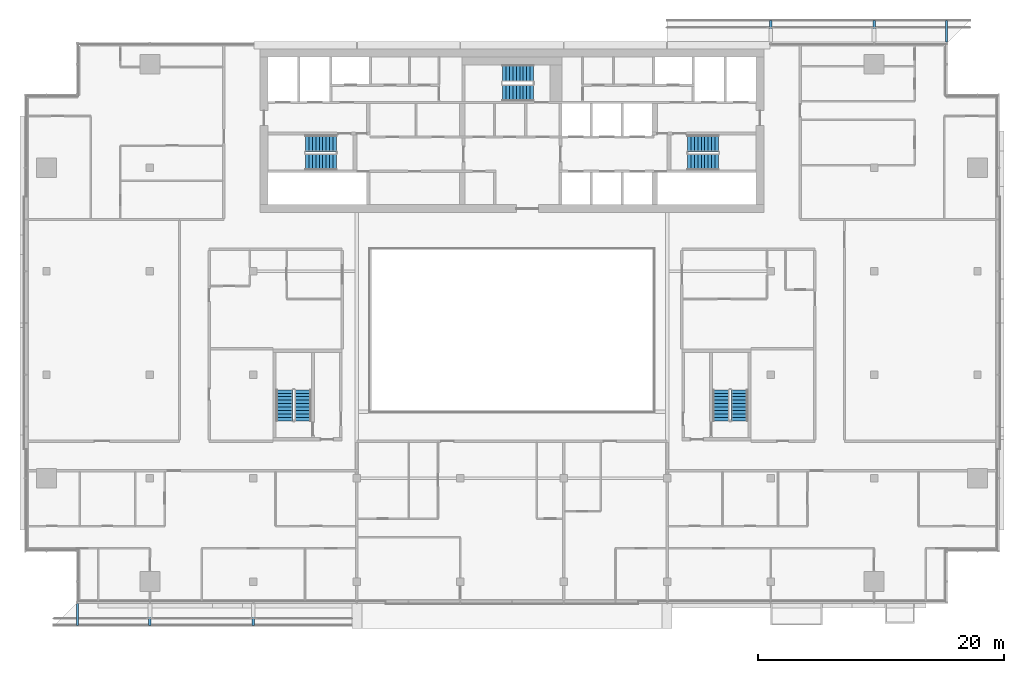
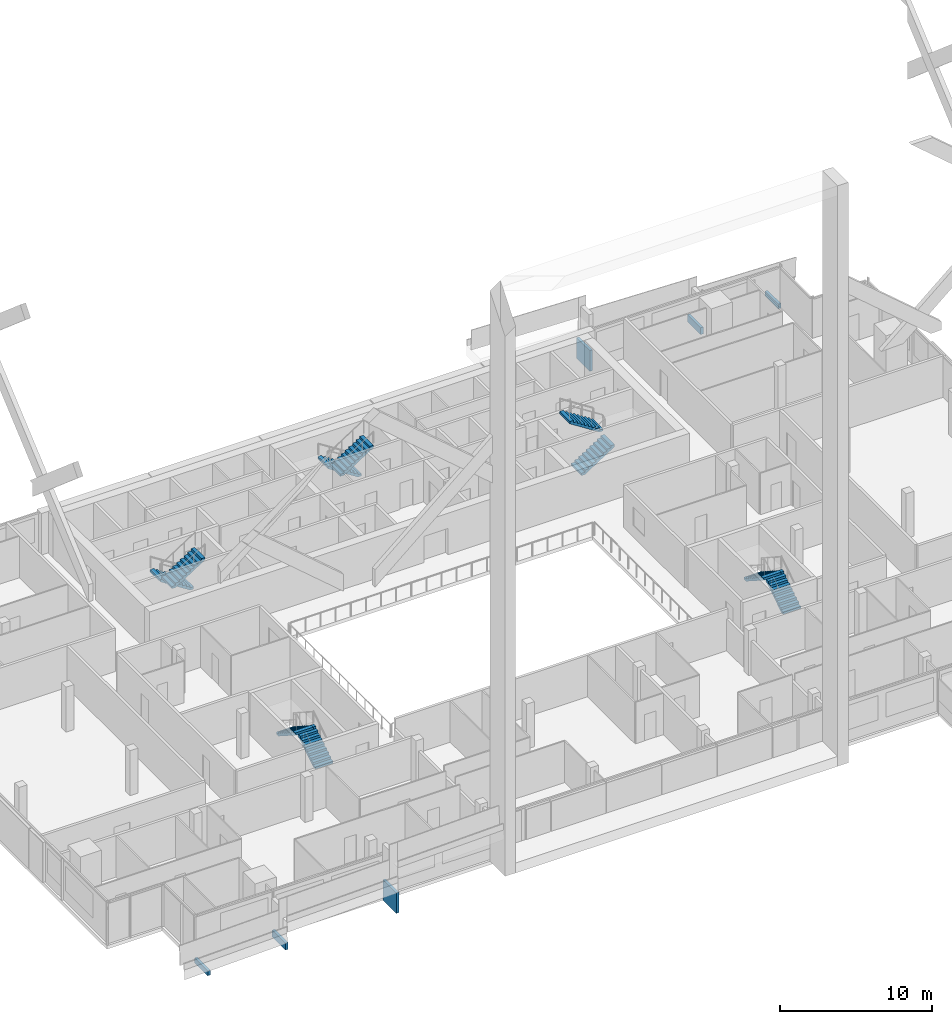
# One storey, part 26 of 31: 10 stair flights, 6 discrete accessories, 5 elements without a shape of their own.
"""IFC4 building model written with IfcOpenShell, lengths in metres."""

from ifc_helpers import new_model, si_unit, direction, frame, origin, origin_2d, place, context, subcontext, project, spatial, polyline, rectangle, outline, extrude, material, type_object, element, aggregate, save


model = new_model("IFC4")

# Units and contexts
model_context = context("Model", 3, precision=1e-05, world=origin(), true_north=direction((0.0, 1.0)))
body_context = subcontext(model_context, "Body", "Model", "MODEL_VIEW")
ifc_project = project(units=[si_unit("LENGTHUNIT", "METRE"), si_unit("AREAUNIT", "SQUARE_METRE"), si_unit("VOLUMEUNIT", "CUBIC_METRE"), si_unit("PLANEANGLEUNIT", "RADIAN"), si_unit("MASSUNIT", "GRAM", prefix="KILO")], contexts=[model_context])

# Site, building, storey
site_placement = place(None, origin())
site = spatial("IfcSite", under=ifc_project, at=site_placement, CompositionType="ELEMENT")
building_placement = place(site_placement, origin())
building = spatial("IfcBuilding", under=site, at=building_placement, Name="Saffron Gate Tower", CompositionType="ELEMENT")
storey_placement = place(building_placement, frame((0.0, 0.0, 205.5)))
storey = spatial("IfcBuildingStorey", under=building, at=storey_placement, Name="L49", CompositionType="ELEMENT", Elevation=205.5)

# Stair, stair flights
ifc_material = material(Name="Concrete C40", Category="concrete")
stair_type = type_object("IfcStairType", Name="ST7 Stair 1350 wide, 20 risers of 180", PredefinedType="HALF_TURN_STAIR", material=ifc_material)
stair_1_placement = place(storey_placement, origin())
stair_1 = element("IfcStair", 1, at=stair_1_placement, inside=storey, type_object=stair_type, Name="L49 Exit stair A", PredefinedType="HALF_TURN_STAIR")
stair_flight_type = type_object("IfcStairFlightType", Name="SF3 Stair flight 1350 wide, riser 180 going 280", PredefinedType="STRAIGHT", material=ifc_material)
stair_flight_1_placement = place(storey_placement, frame((73.35009765625, 67.375, 0.0), z_axis=(0.0, 0.0, 1.0), x_axis=(-1.0, 0.0, 0.0)))
stair_flight_1 = element("IfcStairFlight", 2, at=stair_flight_1_placement, type_object=stair_flight_type, Name="ST-A flight 1", NumberOfRisers=10, NumberOfTreads=9, PredefinedType="STRAIGHT", RiserHeight=0.18, TreadLength=0.28, context=body_context, shape_type="SweptSolid", body=[
    extrude(outline(polyline([(0.0, 0.0), (0.0, 0.179931640625), (0.280029296875, 0.179931640625), (0.280029296875, 0.360107421875), (0.56005859375, 0.360107421875), (0.56005859375, 0.5400390625), (0.840087890625, 0.5400390625), (0.840087890625, 0.719970703125), (1.1201171875, 0.719970703125), (1.1201171875, 0.89990234375), (1.39990234375, 0.89990234375), (1.39990234375, 1.080078125), (1.679931640625, 1.080078125), (1.679931640625, 1.260009765625), (1.9599609375, 1.260009765625), (1.9599609375, 1.43994140625), (2.239990234375, 1.43994140625), (2.239990234375, 1.6201171875), (2.52001953125, 1.6201171875), (2.52001953125, 1.800048828125), (2.52001953125, 1.44189453125), (0.277099609375, 0.0), (0.0, 0.0)])), frame((0.0, 0.675048828125, 0.0), z_axis=(0.0, -1.0, 0.0), x_axis=(1.0, 0.0, 0.0)), (0.0, 0.0, 1.0), 1.35009765625),
])
stair_flight_2_placement = place(storey_placement, frame((70.830078125, 65.875, 1.800048828125), z_axis=(0.0, 0.0, 1.0), x_axis=(1.0, 0.0, 0.0)))
stair_flight_2 = element("IfcStairFlight", 3, at=stair_flight_2_placement, type_object=stair_flight_type, Name="ST-A flight 2", NumberOfRisers=10, NumberOfTreads=9, PredefinedType="STRAIGHT", RiserHeight=0.18, TreadLength=0.28, context=body_context, shape_type="SweptSolid", body=[
    extrude(outline(polyline([(0.0, 0.0), (0.0, 0.179931640625), (0.280029296875, 0.179931640625), (0.280029296875, 0.360107421875), (0.56005859375, 0.360107421875), (0.56005859375, 0.5400390625), (0.840087890625, 0.5400390625), (0.840087890625, 0.719970703125), (1.1201171875, 0.719970703125), (1.1201171875, 0.89990234375), (1.39990234375, 0.89990234375), (1.39990234375, 1.080078125), (1.679931640625, 1.080078125), (1.679931640625, 1.260009765625), (1.9599609375, 1.260009765625), (1.9599609375, 1.43994140625), (2.239990234375, 1.43994140625), (2.239990234375, 1.6201171875), (2.52001953125, 1.6201171875), (2.52001953125, 1.800048828125), (2.52001953125, 1.44189453125), (0.277099609375, 0.0), (0.0, 0.0)])), frame((0.0, 0.675048828125, 0.0), z_axis=(0.0, -1.0, 0.0), x_axis=(1.0, 0.0, 0.0)), (0.0, 0.0, 1.0), 1.35009765625),
])
aggregate(stair_1, [stair_flight_1, stair_flight_2])

stair_2_placement = place(storey_placement, origin())
stair_2 = element("IfcStair", 4, at=stair_2_placement, inside=storey, type_object=stair_type, Name="L49 Exit stair B", PredefinedType="HALF_TURN_STAIR")
stair_flight_3_placement = place(storey_placement, frame((101.85009765625, 65.875, 0.0), z_axis=(0.0, 0.0, 1.0), x_axis=(1.0, 0.0, 0.0)))
stair_flight_3 = element("IfcStairFlight", 5, at=stair_flight_3_placement, type_object=stair_flight_type, Name="ST-B flight 1", NumberOfRisers=10, NumberOfTreads=9, PredefinedType="STRAIGHT", RiserHeight=0.18, TreadLength=0.28, context=body_context, shape_type="SweptSolid", body=[
    extrude(outline(polyline([(0.0, 0.0), (0.0, 0.179931640625), (0.280029296875, 0.179931640625), (0.280029296875, 0.360107421875), (0.56005859375, 0.360107421875), (0.56005859375, 0.5400390625), (0.840087890625, 0.5400390625), (0.840087890625, 0.719970703125), (1.1201171875, 0.719970703125), (1.1201171875, 0.89990234375), (1.39990234375, 0.89990234375), (1.39990234375, 1.080078125), (1.679931640625, 1.080078125), (1.679931640625, 1.260009765625), (1.9599609375, 1.260009765625), (1.9599609375, 1.43994140625), (2.239990234375, 1.43994140625), (2.239990234375, 1.6201171875), (2.52001953125, 1.6201171875), (2.52001953125, 1.800048828125), (2.52001953125, 1.44189453125), (0.277099609375, 0.0), (0.0, 0.0)])), frame((0.0, 0.675048828125, 0.0), z_axis=(0.0, -1.0, 0.0), x_axis=(1.0, 0.0, 0.0)), (0.0, 0.0, 1.0), 1.35009765625),
])
stair_flight_4_placement = place(storey_placement, frame((104.3701171875, 67.375, 1.800048828125), z_axis=(0.0, 0.0, 1.0), x_axis=(-1.0, 0.0, 0.0)))
stair_flight_4 = element("IfcStairFlight", 6, at=stair_flight_4_placement, type_object=stair_flight_type, Name="ST-B flight 2", NumberOfRisers=10, NumberOfTreads=9, PredefinedType="STRAIGHT", RiserHeight=0.18, TreadLength=0.28, context=body_context, shape_type="SweptSolid", body=[
    extrude(outline(polyline([(0.0, 0.0), (0.0, 0.179931640625), (0.280029296875, 0.179931640625), (0.280029296875, 0.360107421875), (0.56005859375, 0.360107421875), (0.56005859375, 0.5400390625), (0.840087890625, 0.5400390625), (0.840087890625, 0.719970703125), (1.1201171875, 0.719970703125), (1.1201171875, 0.89990234375), (1.39990234375, 0.89990234375), (1.39990234375, 1.080078125), (1.679931640625, 1.080078125), (1.679931640625, 1.260009765625), (1.9599609375, 1.260009765625), (1.9599609375, 1.43994140625), (2.239990234375, 1.43994140625), (2.239990234375, 1.6201171875), (2.52001953125, 1.6201171875), (2.52001953125, 1.800048828125), (2.52001953125, 1.44189453125), (0.277099609375, 0.0), (0.0, 0.0)])), frame((0.0, 0.675048828125, 0.0), z_axis=(0.0, -1.0, 0.0), x_axis=(1.0, 0.0, 0.0)), (0.0, 0.0, 1.0), 1.35009765625),
])
aggregate(stair_2, [stair_flight_3, stair_flight_4])

stair_3_placement = place(storey_placement, origin())
stair_3 = element("IfcStair", 7, at=stair_3_placement, inside=storey, type_object=stair_type, Name="L49 Exit stair C", PredefinedType="HALF_TURN_STAIR")
stair_flight_5_placement = place(storey_placement, frame((89.35009765625, 73.074951171875, 0.0), z_axis=(0.0, 0.0, 1.0), x_axis=(-1.0, 0.0, 0.0)))
stair_flight_5 = element("IfcStairFlight", 8, at=stair_flight_5_placement, type_object=stair_flight_type, Name="ST-C flight 1", NumberOfRisers=10, NumberOfTreads=9, PredefinedType="STRAIGHT", RiserHeight=0.18, TreadLength=0.28, context=body_context, shape_type="SweptSolid", body=[
    extrude(outline(polyline([(0.0, 0.0), (0.0, 0.179931640625), (0.280029296875, 0.179931640625), (0.280029296875, 0.360107421875), (0.56005859375, 0.360107421875), (0.56005859375, 0.5400390625), (0.840087890625, 0.5400390625), (0.840087890625, 0.719970703125), (1.1201171875, 0.719970703125), (1.1201171875, 0.89990234375), (1.39990234375, 0.89990234375), (1.39990234375, 1.080078125), (1.679931640625, 1.080078125), (1.679931640625, 1.260009765625), (1.9599609375, 1.260009765625), (1.9599609375, 1.43994140625), (2.239990234375, 1.43994140625), (2.239990234375, 1.6201171875), (2.52001953125, 1.6201171875), (2.52001953125, 1.800048828125), (2.52001953125, 1.44189453125), (0.277099609375, 0.0), (0.0, 0.0)])), frame((0.0, 0.675048828125, 0.0), z_axis=(0.0, -1.0, 0.0), x_axis=(1.0, 0.0, 0.0)), (0.0, 0.0, 1.0), 1.35009765625),
])
stair_flight_6_placement = place(storey_placement, frame((86.830078125, 71.47509765625, 1.800048828125), z_axis=(0.0, 0.0, 1.0), x_axis=(1.0, 0.0, 0.0)))
stair_flight_6 = element("IfcStairFlight", 9, at=stair_flight_6_placement, type_object=stair_flight_type, Name="ST-C flight 2", NumberOfRisers=10, NumberOfTreads=9, PredefinedType="STRAIGHT", RiserHeight=0.18, TreadLength=0.28, context=body_context, shape_type="SweptSolid", body=[
    extrude(outline(polyline([(0.0, 0.0), (0.0, 0.179931640625), (0.280029296875, 0.179931640625), (0.280029296875, 0.360107421875), (0.56005859375, 0.360107421875), (0.56005859375, 0.5400390625), (0.840087890625, 0.5400390625), (0.840087890625, 0.719970703125), (1.1201171875, 0.719970703125), (1.1201171875, 0.89990234375), (1.39990234375, 0.89990234375), (1.39990234375, 1.080078125), (1.679931640625, 1.080078125), (1.679931640625, 1.260009765625), (1.9599609375, 1.260009765625), (1.9599609375, 1.43994140625), (2.239990234375, 1.43994140625), (2.239990234375, 1.6201171875), (2.52001953125, 1.6201171875), (2.52001953125, 1.800048828125), (2.52001953125, 1.44189453125), (0.277099609375, 0.0), (0.0, 0.0)])), frame((0.0, 0.675048828125, 0.0), z_axis=(0.0, -1.0, 0.0), x_axis=(1.0, 0.0, 0.0)), (0.0, 0.0, 1.0), 1.35009765625),
])
aggregate(stair_3, [stair_flight_5, stair_flight_6])

stair_4_placement = place(storey_placement, origin())
stair_4 = element("IfcStair", 10, at=stair_4_placement, inside=storey, type_object=stair_type, Name="L49 Exit stair D", PredefinedType="HALF_TURN_STAIR")
stair_flight_7_placement = place(storey_placement, frame((70.625, 44.85009765625, 0.0), z_axis=(0.0, 0.0, 1.0), x_axis=(0.0, 1.0, 0.0)))
stair_flight_7 = element("IfcStairFlight", 11, at=stair_flight_7_placement, type_object=stair_flight_type, Name="ST-D flight 1", NumberOfRisers=10, NumberOfTreads=9, PredefinedType="STRAIGHT", RiserHeight=0.18, TreadLength=0.28, context=body_context, shape_type="SweptSolid", body=[
    extrude(outline(polyline([(0.0, 0.0), (0.0, 0.179931640625), (0.280029296875, 0.179931640625), (0.280029296875, 0.360107421875), (0.56005859375, 0.360107421875), (0.56005859375, 0.5400390625), (0.840087890625, 0.5400390625), (0.840087890625, 0.719970703125), (1.1201171875, 0.719970703125), (1.1201171875, 0.89990234375), (1.39990234375, 0.89990234375), (1.39990234375, 1.080078125), (1.679931640625, 1.080078125), (1.679931640625, 1.260009765625), (1.9599609375, 1.260009765625), (1.9599609375, 1.43994140625), (2.239990234375, 1.43994140625), (2.239990234375, 1.6201171875), (2.52001953125, 1.6201171875), (2.52001953125, 1.800048828125), (2.52001953125, 1.44189453125), (0.277099609375, 0.0), (0.0, 0.0)])), frame((0.0, 0.675048828125, 0.0), z_axis=(0.0, -1.0, 0.0), x_axis=(1.0, 0.0, 0.0)), (0.0, 0.0, 1.0), 1.35009765625),
])
stair_flight_8_placement = place(storey_placement, frame((69.125, 47.3701171875, 1.800048828125), z_axis=(0.0, 0.0, 1.0), x_axis=(0.0, -1.0, 0.0)))
stair_flight_8 = element("IfcStairFlight", 12, at=stair_flight_8_placement, type_object=stair_flight_type, Name="ST-D flight 2", NumberOfRisers=10, NumberOfTreads=9, PredefinedType="STRAIGHT", RiserHeight=0.18, TreadLength=0.28, context=body_context, shape_type="SweptSolid", body=[
    extrude(outline(polyline([(0.0, 0.0), (0.0, 0.179931640625), (0.280029296875, 0.179931640625), (0.280029296875, 0.360107421875), (0.56005859375, 0.360107421875), (0.56005859375, 0.5400390625), (0.840087890625, 0.5400390625), (0.840087890625, 0.719970703125), (1.1201171875, 0.719970703125), (1.1201171875, 0.89990234375), (1.39990234375, 0.89990234375), (1.39990234375, 1.080078125), (1.679931640625, 1.080078125), (1.679931640625, 1.260009765625), (1.9599609375, 1.260009765625), (1.9599609375, 1.43994140625), (2.239990234375, 1.43994140625), (2.239990234375, 1.6201171875), (2.52001953125, 1.6201171875), (2.52001953125, 1.800048828125), (2.52001953125, 1.44189453125), (0.277099609375, 0.0), (0.0, 0.0)])), frame((0.0, 0.675048828125, 0.0), z_axis=(0.0, -1.0, 0.0), x_axis=(1.0, 0.0, 0.0)), (0.0, 0.0, 1.0), 1.35009765625),
])
aggregate(stair_4, [stair_flight_7, stair_flight_8])

stair_5_placement = place(storey_placement, origin())
stair_5 = element("IfcStair", 13, at=stair_5_placement, inside=storey, type_object=stair_type, Name="L49 Exit stair E", PredefinedType="HALF_TURN_STAIR")
stair_flight_9_placement = place(storey_placement, frame((106.074951171875, 44.85009765625, 0.0), z_axis=(0.0, 0.0, 1.0), x_axis=(0.0, 1.0, 0.0)))
stair_flight_9 = element("IfcStairFlight", 14, at=stair_flight_9_placement, type_object=stair_flight_type, Name="ST-E flight 1", NumberOfRisers=10, NumberOfTreads=9, PredefinedType="STRAIGHT", RiserHeight=0.18, TreadLength=0.28, context=body_context, shape_type="SweptSolid", body=[
    extrude(outline(polyline([(0.0, 0.0), (0.0, 0.179931640625), (0.280029296875, 0.179931640625), (0.280029296875, 0.360107421875), (0.56005859375, 0.360107421875), (0.56005859375, 0.5400390625), (0.840087890625, 0.5400390625), (0.840087890625, 0.719970703125), (1.1201171875, 0.719970703125), (1.1201171875, 0.89990234375), (1.39990234375, 0.89990234375), (1.39990234375, 1.080078125), (1.679931640625, 1.080078125), (1.679931640625, 1.260009765625), (1.9599609375, 1.260009765625), (1.9599609375, 1.43994140625), (2.239990234375, 1.43994140625), (2.239990234375, 1.6201171875), (2.52001953125, 1.6201171875), (2.52001953125, 1.800048828125), (2.52001953125, 1.44189453125), (0.277099609375, 0.0), (0.0, 0.0)])), frame((0.0, 0.675048828125, 0.0), z_axis=(0.0, -1.0, 0.0), x_axis=(1.0, 0.0, 0.0)), (0.0, 0.0, 1.0), 1.35009765625),
])
stair_flight_10_placement = place(storey_placement, frame((104.574951171875, 47.3701171875, 1.800048828125), z_axis=(0.0, 0.0, 1.0), x_axis=(0.0, -1.0, 0.0)))
stair_flight_10 = element("IfcStairFlight", 15, at=stair_flight_10_placement, type_object=stair_flight_type, Name="ST-E flight 2", NumberOfRisers=10, NumberOfTreads=9, PredefinedType="STRAIGHT", RiserHeight=0.18, TreadLength=0.28, context=body_context, shape_type="SweptSolid", body=[
    extrude(outline(polyline([(0.0, 0.0), (0.0, 0.179931640625), (0.280029296875, 0.179931640625), (0.280029296875, 0.360107421875), (0.56005859375, 0.360107421875), (0.56005859375, 0.5400390625), (0.840087890625, 0.5400390625), (0.840087890625, 0.719970703125), (1.1201171875, 0.719970703125), (1.1201171875, 0.89990234375), (1.39990234375, 0.89990234375), (1.39990234375, 1.080078125), (1.679931640625, 1.080078125), (1.679931640625, 1.260009765625), (1.9599609375, 1.260009765625), (1.9599609375, 1.43994140625), (2.239990234375, 1.43994140625), (2.239990234375, 1.6201171875), (2.52001953125, 1.6201171875), (2.52001953125, 1.800048828125), (2.52001953125, 1.44189453125), (0.277099609375, 0.0), (0.0, 0.0)])), frame((0.0, 0.675048828125, 0.0), z_axis=(0.0, -1.0, 0.0), x_axis=(1.0, 0.0, 0.0)), (0.0, 0.0, 1.0), 1.35009765625),
])
aggregate(stair_5, [stair_flight_9, stair_flight_10])

# Discrete accessories
discrete_accessory_1_placement = place(storey_placement, frame((52.320068359375, 29.125, -0.280029296875), z_axis=(0.0, 0.0, 1.0), x_axis=(1.0, 0.0, 0.0)))
element("IfcDiscreteAccessory", 16, at=discrete_accessory_1_placement, inside=storey, Name="LEDGE rib", PredefinedType="BRACKET", context=body_context, shape_type="SweptSolid", body=[
    extrude(rectangle(XDim=0.199951171875, YDim=1.75, at=origin_2d()), origin(), (0.0, 0.0, 1.0), 0.3798828125),
])
discrete_accessory_2_placement = place(storey_placement, frame((58.199951171875, 29.125, -0.280029296875), z_axis=(0.0, 0.0, 1.0), x_axis=(1.0, 0.0, 0.0)))
element("IfcDiscreteAccessory", 17, at=discrete_accessory_2_placement, inside=storey, Name="LEDGE rib", PredefinedType="BRACKET", context=body_context, shape_type="SweptSolid", body=[
    extrude(rectangle(XDim=0.199951171875, YDim=1.75, at=origin_2d()), origin(), (0.0, 0.0, 1.0), 0.552734375),
])
discrete_accessory_3_placement = place(storey_placement, frame((66.60009765625, 29.125, -0.27978515625), z_axis=(0.0, 0.0, 1.0), x_axis=(1.0, 0.0, 0.0)))
element("IfcDiscreteAccessory", 18, at=discrete_accessory_3_placement, inside=storey, Name="LEDGE rib", PredefinedType="BRACKET", context=body_context, shape_type="SweptSolid", body=[
    extrude(rectangle(XDim=0.199951171875, YDim=1.75, at=origin_2d()), origin(), (0.0, 0.0, 1.0), 1.652099609375),
])
discrete_accessory_4_placement = place(storey_placement, frame((122.8798828125, 76.47509765625, -0.280029296875), z_axis=(0.0, 0.0, 1.0), x_axis=(-1.0, 0.0, 0.0)))
element("IfcDiscreteAccessory", 19, at=discrete_accessory_4_placement, inside=storey, Name="LEDGE rib", PredefinedType="BRACKET", context=body_context, shape_type="SweptSolid", body=[
    extrude(rectangle(XDim=0.199951171875, YDim=1.75, at=origin_2d()), origin(), (0.0, 0.0, 1.0), 0.3798828125),
])
discrete_accessory_5_placement = place(storey_placement, frame((117.0, 76.47509765625, -0.280029296875), z_axis=(0.0, 0.0, 1.0), x_axis=(-1.0, 0.0, 0.0)))
element("IfcDiscreteAccessory", 20, at=discrete_accessory_5_placement, inside=storey, Name="LEDGE rib", PredefinedType="BRACKET", context=body_context, shape_type="SweptSolid", body=[
    extrude(rectangle(XDim=0.199951171875, YDim=1.75, at=origin_2d()), origin(), (0.0, 0.0, 1.0), 0.552734375),
])
discrete_accessory_6_placement = place(storey_placement, frame((108.60009765625, 76.47509765625, -0.27978515625), z_axis=(0.0, 0.0, 1.0), x_axis=(-1.0, 0.0, 0.0)))
element("IfcDiscreteAccessory", 21, at=discrete_accessory_6_placement, inside=storey, Name="LEDGE rib", PredefinedType="BRACKET", context=body_context, shape_type="SweptSolid", body=[
    extrude(rectangle(XDim=0.199951171875, YDim=1.75, at=origin_2d()), origin(), (0.0, 0.0, 1.0), 1.652099609375),
])

save(model, "model.ifc")
